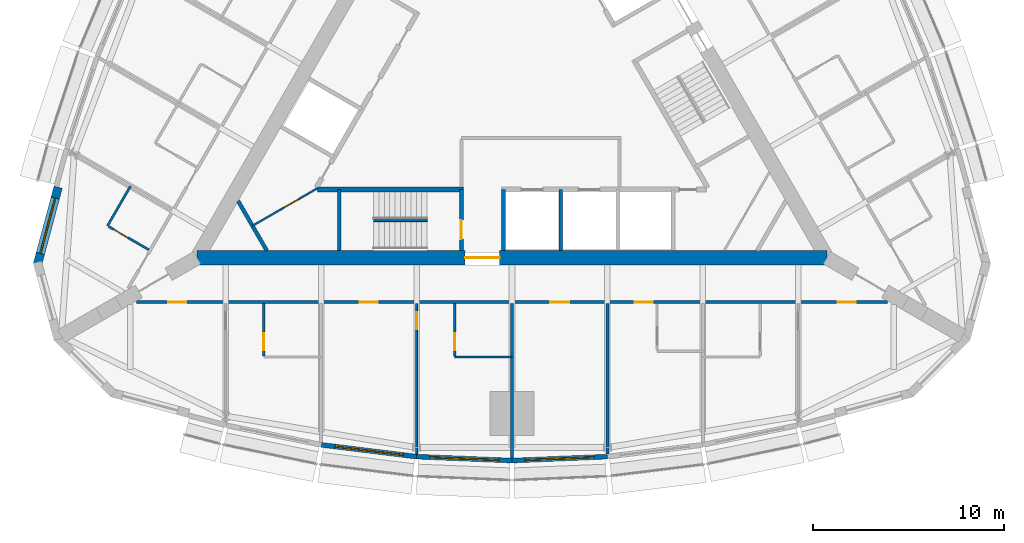
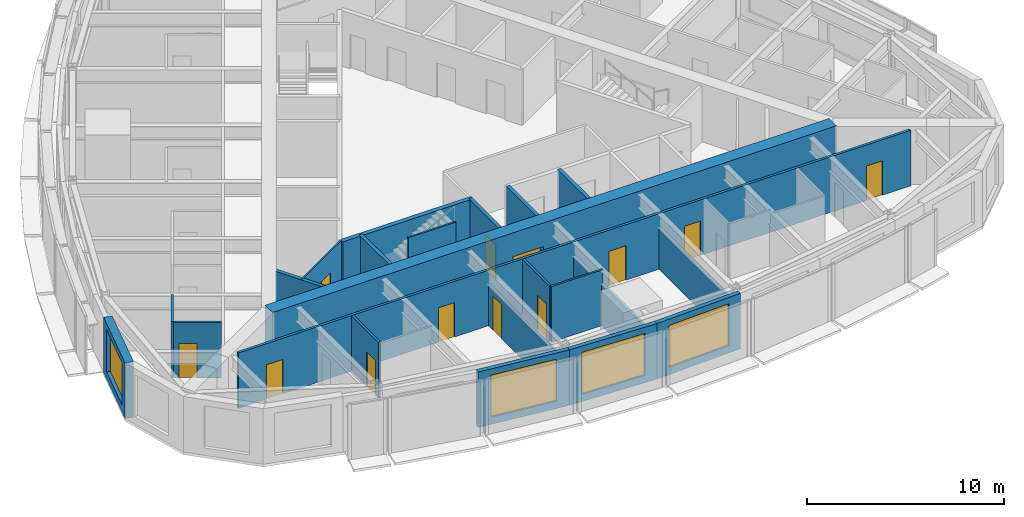
# One storey, part 9 of 15: 22 walls, 12 doors, 4 windows, 16 openings.
"""IFC4 building model written with IfcOpenShell, lengths in metres."""

from ifc_helpers import new_model, si_unit, direction, frame, frame_2d, origin, place, context, subcontext, project, spatial, rectangle, extrude, material, layer, layer_set, type_object, element, fill, save


model = new_model("IFC4")

# Units and contexts
model_context = context("Model", 3, precision=1e-05, world=origin(), true_north=direction((0.0, 1.0)))
body_context = subcontext(model_context, "Body", "Model", "MODEL_VIEW")
ifc_project = project(units=[si_unit("LENGTHUNIT", "METRE"), si_unit("AREAUNIT", "SQUARE_METRE"), si_unit("VOLUMEUNIT", "CUBIC_METRE"), si_unit("PLANEANGLEUNIT", "RADIAN"), si_unit("MASSUNIT", "GRAM", prefix="KILO")], contexts=[model_context])

# Site, building, storey
site_placement = place(None, origin())
site = spatial("IfcSite", under=ifc_project, at=site_placement, CompositionType="ELEMENT")
building_placement = place(site_placement, origin())
building = spatial("IfcBuilding", under=site, at=building_placement, Name="Trikona Tower", CompositionType="ELEMENT")
storey_placement = place(building_placement, frame((0.0, 0.0, 218.89990234375)))
storey = spatial("IfcBuildingStorey", under=building, at=storey_placement, Name="L58", CompositionType="ELEMENT", Elevation=218.89990234375)

# Wall, opening, door
ifc_material_1 = material(Name="Metal stud and cement board", Category="gypsum")
ifc_layer_1 = layer(ifc_material_1, 0.1201171875)
ifc_layer_set_1 = layer_set([ifc_layer_1], Name="Bathroom wall 120")
wall_type_1 = type_object("IfcWallType", Name="Bathroom wall 120", PredefinedType="PLUMBINGWALL", material=ifc_layer_set_1)
wall_1_placement = place(storey_placement, frame((-13.0, -11.92626953125, 0.0), z_axis=(0.0, 0.0, 1.0), x_axis=(0.0, -1.0, 0.0)))
wall_1 = element("IfcWall", 1, at=wall_1_placement, inside=storey, type_object=wall_type_1, Name="Bathroom wall 5801.1", PredefinedType="PLUMBINGWALL", context=body_context, shape_type="SweptSolid", body=[
    extrude(rectangle(XDim=2.739990234375, YDim=0.1201171875, at=frame_2d((1.3701171875, 0.0))), origin(), (0.0, 0.0, 1.0), 3.43505859375),
])
opening_1_placement = place(wall_1_placement, frame((1.550048828125, 0.0, 0.0)))
opening_1 = element("IfcOpeningElement", 2, at=opening_1_placement, cuts=wall_1, Name="Opening D2", PredefinedType="OPENING", context=body_context, shape_type="SweptSolid", body=[
    extrude(rectangle(XDim=0.89990234375, YDim=2.1298828125, at=frame_2d((0.449951171875, 1.06494140625))), frame((0.0, 0.070068359375, 0.0), z_axis=(0.0, -1.0, 0.0), x_axis=(1.0, 0.0, 0.0)), (0.0, 0.0, 1.0), 0.14013671875),
])
ifc_material_2 = material(Name="Steel door frame with solid-core timber leaf", Category="steel")
door_type_1 = type_object("IfcDoorType", Name="Bathroom door 900x2130", OperationType="SLIDING_TO_LEFT", PredefinedType="DOOR", material=ifc_material_2)
door_1_placement = place(opening_1_placement, origin())
door_1 = element("IfcDoor", 3, at=door_1_placement, inside=storey, type_object=door_type_1, Name="Bathroom door 5801.1", OperationType="SLIDING_TO_LEFT", OverallHeight=2.1298828125, OverallWidth=0.89990234375, PredefinedType="DOOR", context=body_context, shape_type="SweptSolid", body=[
    extrude(rectangle(XDim=0.89990234375, YDim=2.1298828125, at=frame_2d((0.449951171875, 1.06494140625))), frame((0.0, 0.02490234375, 0.0), z_axis=(0.0, -1.0, 0.0), x_axis=(1.0, 0.0, 0.0)), (0.0, 0.0, 1.0), 0.050048828125),
])
fill(opening_1, door_1)

# Wall
wall_2_placement = place(storey_placement, frame((-3.0, -14.726318359375, 0.0), z_axis=(0.0, 0.0, 1.0), x_axis=(1.0, 0.0, 0.0)))
element("IfcWall", 4, at=wall_2_placement, inside=storey, type_object=wall_type_1, Name="Bathroom wall 5802.1", PredefinedType="PLUMBINGWALL", context=body_context, shape_type="SweptSolid", body=[
    extrude(rectangle(XDim=3.0, YDim=0.1201171875, at=frame_2d((1.5, 0.0))), origin(), (0.0, 0.0, 1.0), 3.43505859375),
])

# Wall, opening, door
wall_3_placement = place(storey_placement, frame((-3.0, -11.92626953125, 0.0), z_axis=(0.0, 0.0, 1.0), x_axis=(0.0, -1.0, 0.0)))
wall_3 = element("IfcWall", 5, at=wall_3_placement, inside=storey, type_object=wall_type_1, Name="Bathroom wall 5802.1", PredefinedType="PLUMBINGWALL", context=body_context, shape_type="SweptSolid", body=[
    extrude(rectangle(XDim=2.739990234375, YDim=0.1201171875, at=frame_2d((1.3701171875, 0.0))), origin(), (0.0, 0.0, 1.0), 3.43505859375),
])
opening_2_placement = place(wall_3_placement, frame((1.550048828125, 0.0, 0.0)))
opening_2 = element("IfcOpeningElement", 6, at=opening_2_placement, cuts=wall_3, Name="Opening D2", PredefinedType="OPENING", context=body_context, shape_type="SweptSolid", body=[
    extrude(rectangle(XDim=0.89990234375, YDim=2.1298828125, at=frame_2d((0.449951171875, 1.06494140625))), frame((0.0, 0.070068359375, 0.0), z_axis=(0.0, -1.0, 0.0), x_axis=(1.0, 0.0, 0.0)), (0.0, 0.0, 1.0), 0.14013671875),
])
door_2_placement = place(opening_2_placement, origin())
door_2 = element("IfcDoor", 7, at=door_2_placement, inside=storey, type_object=door_type_1, Name="Bathroom door 5802.1", OperationType="SLIDING_TO_LEFT", OverallHeight=2.1298828125, OverallWidth=0.89990234375, PredefinedType="DOOR", context=body_context, shape_type="SweptSolid", body=[
    extrude(rectangle(XDim=0.89990234375, YDim=2.1298828125, at=frame_2d((0.449951171875, 1.06494140625))), frame((0.0, 0.02490234375, 0.0), z_axis=(0.0, -1.0, 0.0), x_axis=(1.0, 0.0, 0.0)), (0.0, 0.0, 1.0), 0.050048828125),
])
fill(opening_2, door_2)

# Wall
wall_4_placement = place(storey_placement, frame((-19.993408203125, -5.777099609375, 0.0), z_axis=(0.0, 0.0, 1.0), x_axis=(-0.500033551112, -0.866006032174, 0.0)))
element("IfcWall", 8, at=wall_4_placement, inside=storey, type_object=wall_type_1, Name="Bathroom wall 5816", PredefinedType="PLUMBINGWALL", context=body_context, shape_type="SweptSolid", body=[
    extrude(rectangle(XDim=2.400146484375, YDim=0.1201171875, at=frame_2d((1.2001953125, 0.0))), origin(), (0.0, 0.0, 1.0), 3.43505859375),
])

# Wall, opening, door
wall_5_placement = place(storey_placement, frame((-19.028564453125, -9.105712890625, 0.0), z_axis=(0.0, 0.0, 1.0), x_axis=(-0.866023955769, 0.500002508028, 0.0)))
wall_5 = element("IfcWall", 9, at=wall_5_placement, inside=storey, type_object=wall_type_1, Name="Bathroom wall 5816", PredefinedType="PLUMBINGWALL", context=body_context, shape_type="SweptSolid", body=[
    extrude(rectangle(XDim=2.43994140625, YDim=0.1201171875, at=frame_2d((1.219970703125, 0.0))), origin(), (0.0, 0.0, 1.0), 3.43505859375),
])
opening_3_placement = place(wall_5_placement, frame((1.25, 0.0, 0.0)))
opening_3 = element("IfcOpeningElement", 10, at=opening_3_placement, cuts=wall_5, Name="Opening D2", PredefinedType="OPENING", context=body_context, shape_type="SweptSolid", body=[
    extrude(rectangle(XDim=0.89990234375, YDim=2.1298828125, at=frame_2d((0.449951171875, 1.06494140625))), frame((0.0, 0.070068359375, 0.0), z_axis=(0.0, -1.0, 0.0), x_axis=(1.0, 0.0, 0.0)), (0.0, 0.0, 1.0), 0.14013671875),
])
door_3_placement = place(opening_3_placement, origin())
door_3 = element("IfcDoor", 11, at=door_3_placement, inside=storey, type_object=door_type_1, Name="Bathroom door 5816", OperationType="SLIDING_TO_LEFT", OverallHeight=2.1298828125, OverallWidth=0.89990234375, PredefinedType="DOOR", context=body_context, shape_type="SweptSolid", body=[
    extrude(rectangle(XDim=0.89990234375, YDim=2.1298828125, at=frame_2d((0.449951171875, 1.06494140625))), frame((0.0, 0.02490234375, 0.0), z_axis=(0.0, -1.0, 0.0), x_axis=(1.0, 0.0, 0.0)), (0.0, 0.0, 1.0), 0.050048828125),
])
fill(opening_3, door_3)

# Wall, opening, window
ifc_material_3 = material(Name="Brick-faced precast concrete", Category="masonry")
ifc_layer_2 = layer(ifc_material_3, 0.449951171875)
ifc_layer_set_2 = layer_set([ifc_layer_2], Name="Brick-faced corner wall 450")
wall_type_2 = type_object("IfcWallType", Name="Brick-faced corner wall 450", PredefinedType="SOLIDWALL", material=ifc_layer_set_2)
wall_6_placement = place(storey_placement, frame((-23.78271484375, -5.831787109375, 0.0), z_axis=(0.0, 0.0, 1.0), x_axis=(-0.258784695888, -0.965935029479, 0.0)))
wall_6 = element("IfcWall", 12, at=wall_6_placement, inside=storey, type_object=wall_type_2, Name="External wall L58-32", PredefinedType="SOLIDWALL", context=body_context, shape_type="SweptSolid", body=[
    extrude(rectangle(XDim=4.18408203125, YDim=0.449951171875, at=frame_2d((2.092041015625, 0.0))), origin(), (0.0, 0.0, 1.0), 3.43505859375),
])
opening_4_placement = place(wall_6_placement, frame((0.592041015625, 0.0, 0.449951171875)))
opening_4 = element("IfcOpeningElement", 13, at=opening_4_placement, cuts=wall_6, Name="Opening W3026", PredefinedType="OPENING", context=body_context, shape_type="SweptSolid", body=[
    extrude(rectangle(XDim=3.0, YDim=2.60009765625, at=frame_2d((1.5, 1.300048828125))), frame((0.0, 0.23486328125, 0.0), z_axis=(0.0, -1.0, 0.0), x_axis=(1.0, 0.0, 0.0)), (0.0, 0.0, 1.0), 0.469970703125),
])
ifc_material_4 = material(Name="Aluminium-framed double glazing", Category="aluminium")
window_type_1 = type_object("IfcWindowType", Name="Window 3000x2600", PartitioningType="SINGLE_PANEL", PredefinedType="WINDOW", material=ifc_material_4)
window_1_placement = place(opening_4_placement, origin())
window_1 = element("IfcWindow", 14, at=window_1_placement, inside=storey, type_object=window_type_1, Name="Window 5816", OverallHeight=2.60009765625, OverallWidth=3.0, PartitioningType="SINGLE_PANEL", PredefinedType="WINDOW", context=body_context, shape_type="SweptSolid", body=[
    extrude(rectangle(XDim=3.0, YDim=2.60009765625, at=frame_2d((1.5, 1.300048828125))), frame((0.0, 0.030029296875, 0.0), z_axis=(0.0, -1.0, 0.0), x_axis=(1.0, 0.0, 0.0)), (0.0, 0.0, 1.0), 0.06005859375),
])
fill(opening_4, window_1)

# Wall, opening, door
ifc_material_5 = material(Name="Concrete f'c 10000 psi", Category="concrete")
ifc_layer_3 = layer(ifc_material_5, 0.75)
ifc_layer_set_3 = layer_set([ifc_layer_3], Name="Core wall 750")
wall_type_3 = type_object("IfcWallType", Name="Core wall 750", PredefinedType="SHEAR", material=ifc_layer_set_3)
wall_7_placement = place(storey_placement, frame((-16.5, -9.5263671875, 0.0), z_axis=(0.0, 0.0, 1.0), x_axis=(1.0, 0.0, 0.0)))
wall_7 = element("IfcWall", 15, at=wall_7_placement, inside=storey, type_object=wall_type_3, Name="Core wall A", PredefinedType="SHEAR", context=body_context, shape_type="SweptSolid", body=[
    extrude(rectangle(XDim=33.0, YDim=0.75, at=frame_2d((16.5, 0.0))), origin(), (0.0, 0.0, 1.0), 3.60009765625),
])
opening_5_placement = place(wall_7_placement, frame((14.050048828125, 0.0, 0.0)))
opening_5 = element("IfcOpeningElement", 16, at=opening_5_placement, cuts=wall_7, Name="Opening D6", PredefinedType="OPENING", context=body_context, shape_type="SweptSolid", body=[
    extrude(rectangle(XDim=1.800048828125, YDim=2.1298828125, at=frame_2d((0.89990234375, 1.06494140625))), frame((0.0, 0.385009765625, 0.0), z_axis=(0.0, -1.0, 0.0), x_axis=(1.0, 0.0, 0.0)), (0.0, 0.0, 1.0), 0.77001953125),
])
ifc_material_6 = material(Name="Hollow metal door and frame", Category="steel")
door_type_2 = type_object("IfcDoorType", Name="Lobby door pair 1800x2130", OperationType="DOUBLE_DOOR_SINGLE_SWING", PredefinedType="DOOR", material=ifc_material_6)
door_4_placement = place(opening_5_placement, origin())
door_4 = element("IfcDoor", 17, at=door_4_placement, inside=storey, type_object=door_type_2, Name="Fire service lift lobby door", OperationType="DOUBLE_DOOR_SINGLE_SWING", OverallHeight=2.1298828125, OverallWidth=1.800048828125, PredefinedType="DOOR", context=body_context, shape_type="SweptSolid", body=[
    extrude(rectangle(XDim=1.800048828125, YDim=2.1298828125, at=frame_2d((0.89990234375, 1.06494140625))), frame((0.0, 0.02490234375, 0.0), z_axis=(0.0, -1.0, 0.0), x_axis=(1.0, 0.0, 0.0)), (0.0, 0.0, 1.0), 0.050048828125),
])
fill(opening_5, door_4)

# Wall, openings, doors
ifc_material_7 = material(Name="Metal stud and gypsum board, 1-hour", Category="gypsum")
ifc_layer_4 = layer(ifc_material_7, 0.14990234375)
ifc_layer_set_4 = layer_set([ifc_layer_4], Name="Corridor wall 150")
wall_type_4 = type_object("IfcWallType", Name="Corridor wall 150", PredefinedType="PARTITIONING", material=ifc_layer_set_4)
wall_8_placement = place(storey_placement, frame((-19.677001953125, -11.851318359375, 0.0), z_axis=(0.0, 0.0, 1.0), x_axis=(1.0, 0.0, 0.0)))
wall_8 = element("IfcWall", 18, at=wall_8_placement, inside=storey, type_object=wall_type_4, Name="Corridor wall L58-1", PredefinedType="PARTITIONING", context=body_context, shape_type="SweptSolid", body=[
    extrude(rectangle(XDim=39.35400390625, YDim=0.14990234375, at=frame_2d((19.677001953125, 0.0))), origin(), (0.0, 0.0, 1.0), 3.43505859375),
])
opening_6_placement = place(wall_8_placement, frame((1.6650390625, 0.0, 0.0)))
opening_6 = element("IfcOpeningElement", 19, at=opening_6_placement, cuts=wall_8, Name="Opening D1", PredefinedType="OPENING", context=body_context, shape_type="SweptSolid", body=[
    extrude(rectangle(XDim=0.949951171875, YDim=2.1298828125, at=frame_2d((0.47509765625, 1.06494140625))), frame((0.0, 0.0849609375, 0.0), z_axis=(0.0, -1.0, 0.0), x_axis=(1.0, 0.0, 0.0)), (0.0, 0.0, 1.0), 0.169921875),
])
opening_7_placement = place(wall_8_placement, frame((11.701904296875, 0.0, 0.0)))
opening_7 = element("IfcOpeningElement", 20, at=opening_7_placement, cuts=wall_8, Name="Opening D1", PredefinedType="OPENING", context=body_context, shape_type="SweptSolid", body=[
    extrude(rectangle(XDim=0.949951171875, YDim=2.1298828125, at=frame_2d((0.47509765625, 1.06494140625))), frame((0.0, 0.0849609375, 0.0), z_axis=(0.0, -1.0, 0.0), x_axis=(1.0, 0.0, 0.0)), (0.0, 0.0, 1.0), 0.169921875),
])
opening_8_placement = place(wall_8_placement, frame((21.677001953125, 0.0, 0.0)))
opening_8 = element("IfcOpeningElement", 21, at=opening_8_placement, cuts=wall_8, Name="Opening D3", PredefinedType="OPENING", context=body_context, shape_type="SweptSolid", body=[
    extrude(rectangle(XDim=1.0, YDim=2.1298828125, at=frame_2d((0.5, 1.06494140625))), frame((0.0, 0.0849609375, 0.0), z_axis=(0.0, -1.0, 0.0), x_axis=(1.0, 0.0, 0.0)), (0.0, 0.0, 1.0), 0.169921875),
])
opening_9_placement = place(wall_8_placement, frame((26.10205078125, 0.0, 0.0)))
opening_9 = element("IfcOpeningElement", 22, at=opening_9_placement, cuts=wall_8, Name="Opening D1", PredefinedType="OPENING", context=body_context, shape_type="SweptSolid", body=[
    extrude(rectangle(XDim=0.949951171875, YDim=2.1298828125, at=frame_2d((0.47509765625, 1.06494140625))), frame((0.0, 0.0849609375, 0.0), z_axis=(0.0, -1.0, 0.0), x_axis=(1.0, 0.0, 0.0)), (0.0, 0.0, 1.0), 0.169921875),
])
opening_10_placement = place(wall_8_placement, frame((36.739013671875, 0.0, 0.0)))
opening_10 = element("IfcOpeningElement", 23, at=opening_10_placement, cuts=wall_8, Name="Opening D1", PredefinedType="OPENING", context=body_context, shape_type="SweptSolid", body=[
    extrude(rectangle(XDim=0.949951171875, YDim=2.1298828125, at=frame_2d((0.47509765625, 1.06494140625))), frame((0.0, 0.0849609375, 0.0), z_axis=(0.0, -1.0, 0.0), x_axis=(1.0, 0.0, 0.0)), (0.0, 0.0, 1.0), 0.169921875),
])
ifc_material_8 = material(Name="Steel door frame with solid-core timber leaf", Category="steel")
door_type_3 = type_object("IfcDoorType", Name="Guest room door 950x2130", OperationType="SINGLE_SWING_LEFT", PredefinedType="DOOR", material=ifc_material_8)
door_5_placement = place(opening_6_placement, origin())
door_5 = element("IfcDoor", 24, at=door_5_placement, inside=storey, type_object=door_type_3, Name="Room door 5801", OperationType="SINGLE_SWING_LEFT", OverallHeight=2.1298828125, OverallWidth=0.949951171875, PredefinedType="DOOR", context=body_context, shape_type="SweptSolid", body=[
    extrude(rectangle(XDim=0.949951171875, YDim=2.1298828125, at=frame_2d((0.47509765625, 1.06494140625))), frame((0.0, 0.02490234375, 0.0), z_axis=(0.0, -1.0, 0.0), x_axis=(1.0, 0.0, 0.0)), (0.0, 0.0, 1.0), 0.050048828125),
])
fill(opening_6, door_5)
door_6_placement = place(opening_7_placement, origin())
door_6 = element("IfcDoor", 25, at=door_6_placement, inside=storey, type_object=door_type_3, Name="Room door 5802", OperationType="SINGLE_SWING_RIGHT", OverallHeight=2.1298828125, OverallWidth=0.949951171875, PredefinedType="DOOR", context=body_context, shape_type="SweptSolid", body=[
    extrude(rectangle(XDim=0.949951171875, YDim=2.1298828125, at=frame_2d((0.47509765625, 1.06494140625))), frame((0.0, 0.02490234375, 0.0), z_axis=(0.0, -1.0, 0.0), x_axis=(1.0, 0.0, 0.0)), (0.0, 0.0, 1.0), 0.050048828125),
])
fill(opening_7, door_6)
door_7_placement = place(opening_9_placement, origin())
door_7 = element("IfcDoor", 26, at=door_7_placement, inside=storey, type_object=door_type_3, Name="Room door 5803", OperationType="SINGLE_SWING_RIGHT", OverallHeight=2.1298828125, OverallWidth=0.949951171875, PredefinedType="DOOR", context=body_context, shape_type="SweptSolid", body=[
    extrude(rectangle(XDim=0.949951171875, YDim=2.1298828125, at=frame_2d((0.47509765625, 1.06494140625))), frame((0.0, 0.02490234375, 0.0), z_axis=(0.0, -1.0, 0.0), x_axis=(1.0, 0.0, 0.0)), (0.0, 0.0, 1.0), 0.050048828125),
])
fill(opening_9, door_7)
door_8_placement = place(opening_10_placement, origin())
door_8 = element("IfcDoor", 27, at=door_8_placement, inside=storey, type_object=door_type_3, Name="Room door 5804", OperationType="SINGLE_SWING_RIGHT", OverallHeight=2.1298828125, OverallWidth=0.949951171875, PredefinedType="DOOR", context=body_context, shape_type="SweptSolid", body=[
    extrude(rectangle(XDim=0.949951171875, YDim=2.1298828125, at=frame_2d((0.47509765625, 1.06494140625))), frame((0.0, 0.02490234375, 0.0), z_axis=(0.0, -1.0, 0.0), x_axis=(1.0, 0.0, 0.0)), (0.0, 0.0, 1.0), 0.050048828125),
])
fill(opening_10, door_8)
ifc_material_9 = material(Name="Steel door frame with solid-core timber leaf", Category="steel")
door_type_4 = type_object("IfcDoorType", Name="Room door 1000x2130", OperationType="SINGLE_SWING_LEFT", PredefinedType="DOOR", material=ifc_material_9)
door_9_placement = place(opening_8_placement, origin())
door_9 = element("IfcDoor", 28, at=door_9_placement, inside=storey, type_object=door_type_4, Name="Door Housekeeping pantry", OperationType="SINGLE_SWING_LEFT", OverallHeight=2.1298828125, OverallWidth=1.0, PredefinedType="DOOR", context=body_context, shape_type="SweptSolid", body=[
    extrude(rectangle(XDim=1.0, YDim=2.1298828125, at=frame_2d((0.5, 1.06494140625))), frame((0.0, 0.02490234375, 0.0), z_axis=(0.0, -1.0, 0.0), x_axis=(1.0, 0.0, 0.0)), (0.0, 0.0, 1.0), 0.050048828125),
])
fill(opening_8, door_9)

# Wall
ifc_material_10 = material(Name="Concrete f'c 8000 psi", Category="concrete")
ifc_layer_5 = layer(ifc_material_10, 0.25)
ifc_layer_set_5 = layer_set([ifc_layer_5], Name="Hub wall 250")
wall_type_5 = type_object("IfcWallType", Name="Hub wall 250", PredefinedType="SOLIDWALL", material=ifc_layer_set_5)
wall_9_placement = place(storey_placement, frame((-10.182861328125, -5.951416015625, 0.0), z_axis=(0.0, 0.0, 1.0), x_axis=(1.0, 0.0, 0.0)))
element("IfcWall", 29, at=wall_9_placement, inside=storey, type_object=wall_type_5, Name="Lift lobby wall A1", PredefinedType="SOLIDWALL", context=body_context, shape_type="SweptSolid", body=[
    extrude(rectangle(XDim=7.6328125, YDim=0.25, at=frame_2d((3.81640625, 0.0))), origin(), (0.0, 0.0, 1.0), 3.43505859375),
])

# Wall, opening, window
ifc_material_11 = material(Name="Insulated precast concrete spandrel panel", Category="concrete")
ifc_layer_6 = layer(ifc_material_11, 0.25)
ifc_layer_set_6 = layer_set([ifc_layer_6], Name="Inner skin wall 250")
wall_type_6 = type_object("IfcWallType", Name="Inner skin wall 250", PredefinedType="STANDARD", material=ifc_layer_set_6)
wall_10_placement = place(storey_placement, frame((-9.984619140625, -19.330078125, 0.0), z_axis=(0.0, 0.0, 1.0), x_axis=(0.992449874964, -0.12265090984, 0.0)))
wall_10 = element("IfcWall", 30, at=wall_10_placement, inside=storey, type_object=wall_type_6, Name="External wall L58-02", PredefinedType="STANDARD", context=body_context, shape_type="SweptSolid", body=[
    extrude(rectangle(XDim=5.0380859375, YDim=0.25, at=frame_2d((2.51904296875, 0.0))), origin(), (0.0, 0.0, 1.0), 3.43505859375),
])
opening_11_placement = place(wall_10_placement, frame((0.718994140625, 0.0, 0.449951171875)))
opening_11 = element("IfcOpeningElement", 31, at=opening_11_placement, cuts=wall_10, Name="Opening W3626", PredefinedType="OPENING", context=body_context, shape_type="SweptSolid", body=[
    extrude(rectangle(XDim=3.60009765625, YDim=2.60009765625, at=frame_2d((1.800048828125, 1.300048828125))), frame((0.0, 0.135009765625, 0.0), z_axis=(0.0, -1.0, 0.0), x_axis=(1.0, 0.0, 0.0)), (0.0, 0.0, 1.0), 0.27001953125),
])
ifc_material_12 = material(Name="Aluminium-framed double glazing", Category="aluminium")
window_type_2 = type_object("IfcWindowType", Name="Window 3600x2600", PartitioningType="SINGLE_PANEL", PredefinedType="WINDOW", material=ifc_material_12)
window_2_placement = place(opening_11_placement, origin())
window_2 = element("IfcWindow", 32, at=window_2_placement, inside=storey, type_object=window_type_2, Name="Window 5802", OverallHeight=2.60009765625, OverallWidth=3.60009765625, PartitioningType="SINGLE_PANEL", PredefinedType="WINDOW", context=body_context, shape_type="SweptSolid", body=[
    extrude(rectangle(XDim=3.60009765625, YDim=2.60009765625, at=frame_2d((1.800048828125, 1.300048828125))), frame((0.0, 0.030029296875, 0.0), z_axis=(0.0, -1.0, 0.0), x_axis=(1.0, 0.0, 0.0)), (0.0, 0.0, 1.0), 0.06005859375),
])
fill(opening_11, window_2)

wall_11_placement = place(storey_placement, frame((-4.994873046875, -19.947021484375, 0.0), z_axis=(0.0, 0.0, 1.0), x_axis=(0.999151909423, -0.041175986892, 0.0)))
wall_11 = element("IfcWall", 33, at=wall_11_placement, inside=storey, type_object=wall_type_6, Name="External wall L58-03", PredefinedType="STANDARD", context=body_context, shape_type="SweptSolid", body=[
    extrude(rectangle(XDim=5.004150390625, YDim=0.25, at=frame_2d((2.501953125, 0.0))), origin(), (0.0, 0.0, 1.0), 3.43505859375),
])
opening_12_placement = place(wall_11_placement, frame((0.7021484375, 0.0, 0.449951171875)))
opening_12 = element("IfcOpeningElement", 34, at=opening_12_placement, cuts=wall_11, Name="Opening W3626", PredefinedType="OPENING", context=body_context, shape_type="SweptSolid", body=[
    extrude(rectangle(XDim=3.60009765625, YDim=2.60009765625, at=frame_2d((1.800048828125, 1.300048828125))), frame((0.0, 0.135009765625, 0.0), z_axis=(0.0, -1.0, 0.0), x_axis=(1.0, 0.0, 0.0)), (0.0, 0.0, 1.0), 0.27001953125),
])
window_3_placement = place(opening_12_placement, origin())
window_3 = element("IfcWindow", 35, at=window_3_placement, inside=storey, type_object=window_type_2, Name="Window 5802.1", OverallHeight=2.60009765625, OverallWidth=3.60009765625, PartitioningType="SINGLE_PANEL", PredefinedType="WINDOW", context=body_context, shape_type="SweptSolid", body=[
    extrude(rectangle(XDim=3.60009765625, YDim=2.60009765625, at=frame_2d((1.800048828125, 1.300048828125))), frame((0.0, 0.030029296875, 0.0), z_axis=(0.0, -1.0, 0.0), x_axis=(1.0, 0.0, 0.0)), (0.0, 0.0, 1.0), 0.06005859375),
])
fill(opening_12, window_3)

wall_12_placement = place(storey_placement, frame((-0.005126953125, -20.153076171875, 0.0), z_axis=(0.0, 0.0, 1.0), x_axis=(0.999151909423, 0.041175986892, 0.0)))
wall_12 = element("IfcWall", 36, at=wall_12_placement, inside=storey, type_object=wall_type_6, Name="External wall L58-04", PredefinedType="STANDARD", context=body_context, shape_type="SweptSolid", body=[
    extrude(rectangle(XDim=5.004150390625, YDim=0.25, at=frame_2d((2.501953125, 0.0))), origin(), (0.0, 0.0, 1.0), 3.43505859375),
])
opening_13_placement = place(wall_12_placement, frame((0.7021484375, 0.0, 0.449951171875)))
opening_13 = element("IfcOpeningElement", 37, at=opening_13_placement, cuts=wall_12, Name="Opening W3626", PredefinedType="OPENING", context=body_context, shape_type="SweptSolid", body=[
    extrude(rectangle(XDim=3.60009765625, YDim=2.60009765625, at=frame_2d((1.800048828125, 1.300048828125))), frame((0.0, 0.135009765625, 0.0), z_axis=(0.0, -1.0, 0.0), x_axis=(1.0, 0.0, 0.0)), (0.0, 0.0, 1.0), 0.27001953125),
])
window_4_placement = place(opening_13_placement, origin())
window_4 = element("IfcWindow", 38, at=window_4_placement, inside=storey, type_object=window_type_2, Name="Window L58-HKP", OverallHeight=2.60009765625, OverallWidth=3.60009765625, PartitioningType="SINGLE_PANEL", PredefinedType="WINDOW", context=body_context, shape_type="SweptSolid", body=[
    extrude(rectangle(XDim=3.60009765625, YDim=2.60009765625, at=frame_2d((1.800048828125, 1.300048828125))), frame((0.0, 0.030029296875, 0.0), z_axis=(0.0, -1.0, 0.0), x_axis=(1.0, 0.0, 0.0)), (0.0, 0.0, 1.0), 0.06005859375),
])
fill(opening_13, window_4)

# Walls
ifc_material_13 = material(Name="Metal stud and gypsum board, 1-hour acoustic", Category="gypsum")
ifc_layer_7 = layer(ifc_material_13, 0.14990234375)
ifc_layer_set_7 = layer_set([ifc_layer_7], Name="Party wall 150")
wall_type_7 = type_object("IfcWallType", Name="Party wall 150", PredefinedType="PARTITIONING", material=ifc_layer_set_7)
wall_13_placement = place(storey_placement, frame((0.0, -11.92626953125, 0.0), z_axis=(0.0, 0.0, 1.0), x_axis=(0.0, -1.0, 0.0)))
element("IfcWall", 39, at=wall_13_placement, inside=storey, type_object=wall_type_7, Name="Partition L58 F1 u0", PredefinedType="PARTITIONING", context=body_context, shape_type="SweptSolid", body=[
    extrude(rectangle(XDim=8.101318359375, YDim=0.14990234375, at=frame_2d((4.05078125, 0.0))), origin(), (0.0, 0.0, 1.0), 2.58935546875),
])
wall_14_placement = place(storey_placement, frame((5.0, -11.92626953125, 0.0), z_axis=(0.0, 0.0, 1.0), x_axis=(0.0, -1.0, 0.0)))
element("IfcWall", 40, at=wall_14_placement, inside=storey, type_object=wall_type_7, Name="Partition L58 F1 u5", PredefinedType="PARTITIONING", context=body_context, shape_type="SweptSolid", body=[
    extrude(rectangle(XDim=7.893798828125, YDim=0.14990234375, at=frame_2d((3.94677734375, 0.0))), origin(), (0.0, 0.0, 1.0), 2.58935546875),
])
ifc_material_14 = material(Name="Concrete f'c 8000 psi", Category="concrete")
ifc_layer_8 = layer(ifc_material_14, 0.199951171875)
ifc_layer_set_8 = layer_set([ifc_layer_8], Name="Shaft wall 200")
wall_type_8 = type_object("IfcWallType", Name="Shaft wall 200", PredefinedType="SOLIDWALL", material=ifc_layer_set_8)
for number, where, z_axis, x_axis, name in (
    (41, (-0.449951171875, -5.951416015625, 0.0), (0.0, 0.0, 1.0), (0.0, -1.0, 0.0), "Shaft wall A3"),
    (42, (2.550048828125, -5.951416015625, 0.0), (0.0, 0.0, 1.0), (0.0, -1.0, 0.0), "Shaft wall A4"),
):
    element("IfcWall", number, at=place(storey_placement, frame(where, z_axis=z_axis, x_axis=x_axis)), inside=storey, type_object=wall_type_8, Name=name, PredefinedType="SOLIDWALL", context=body_context, shape_type="SweptSolid", body=[
        extrude(rectangle(XDim=3.199951171875, YDim=0.199951171875, at=frame_2d((1.60009765625, 0.0))), origin(), (0.0, 0.0, 1.0), 3.43505859375),
    ])
wall_15_placement = place(storey_placement, frame((-12.848388671875, -9.1513671875, 0.0), z_axis=(0.0, 0.0, 1.0), x_axis=(-0.499952404951, 0.866052881055, 0.0)))
element("IfcWall", 43, at=wall_15_placement, inside=storey, type_object=wall_type_8, Name="Riser wall L58-RS3", PredefinedType="SOLIDWALL", context=body_context, shape_type="SweptSolid", body=[
    extrude(rectangle(XDim=3.002197265625, YDim=0.199951171875, at=frame_2d((1.5009765625, 0.0))), origin(), (0.0, 0.0, 1.0), 3.43505859375),
])
ifc_material_15 = material(Name="Concrete f'c 8000 psi", Category="concrete")
ifc_layer_9 = layer(ifc_material_15, 0.199951171875)
ifc_layer_set_9 = layer_set([ifc_layer_9], Name="Shaft wall 200 load-bearing")
wall_type_9 = type_object("IfcWallType", Name="Shaft wall 200 load-bearing", PredefinedType="SOLIDWALL", material=ifc_layer_set_9)
wall_16_placement = place(storey_placement, frame((-9.050048828125, -5.951416015625, 0.0), z_axis=(0.0, 0.0, 1.0), x_axis=(0.0, -1.0, 0.0)))
element("IfcWall", 44, at=wall_16_placement, inside=storey, type_object=wall_type_9, Name="Shaft wall A1", PredefinedType="SOLIDWALL", context=body_context, shape_type="SweptSolid", body=[
    extrude(rectangle(XDim=3.199951171875, YDim=0.199951171875, at=frame_2d((1.60009765625, 0.0))), origin(), (0.0, 0.0, 1.0), 3.43505859375),
])

# Wall, opening, door
wall_17_placement = place(storey_placement, frame((-2.64990234375, -5.951416015625, 0.0), z_axis=(0.0, 0.0, 1.0), x_axis=(0.0, -1.0, 0.0)))
wall_17 = element("IfcWall", 45, at=wall_17_placement, inside=storey, type_object=wall_type_9, Name="Shaft wall A2", PredefinedType="SOLIDWALL", context=body_context, shape_type="SweptSolid", body=[
    extrude(rectangle(XDim=3.199951171875, YDim=0.199951171875, at=frame_2d((1.60009765625, 0.0))), origin(), (0.0, 0.0, 1.0), 3.43505859375),
])
opening_14_placement = place(wall_17_placement, frame((1.60009765625, 0.0, 0.0)))
opening_14 = element("IfcOpeningElement", 46, at=opening_14_placement, cuts=wall_17, Name="Opening D5", PredefinedType="OPENING", context=body_context, shape_type="SweptSolid", body=[
    extrude(rectangle(XDim=1.0, YDim=2.1298828125, at=frame_2d((0.5, 1.06494140625))), frame((0.0, 0.10986328125, 0.0), z_axis=(0.0, -1.0, 0.0), x_axis=(1.0, 0.0, 0.0)), (0.0, 0.0, 1.0), 0.219970703125),
])
ifc_material_16 = material(Name="Hollow metal door and frame", Category="steel")
door_type_5 = type_object("IfcDoorType", Name="Stair door 1000x2130", OperationType="SINGLE_SWING_LEFT", PredefinedType="DOOR", material=ifc_material_16)
door_10_placement = place(opening_14_placement, origin())
door_10 = element("IfcDoor", 47, at=door_10_placement, inside=storey, type_object=door_type_5, Name="Stair A door", OperationType="SINGLE_SWING_RIGHT", OverallHeight=2.1298828125, OverallWidth=1.0, PredefinedType="DOOR", context=body_context, shape_type="SweptSolid", body=[
    extrude(rectangle(XDim=1.0, YDim=2.1298828125, at=frame_2d((0.5, 1.06494140625))), frame((0.0, 0.02490234375, 0.0), z_axis=(0.0, -1.0, 0.0), x_axis=(1.0, 0.0, 0.0)), (0.0, 0.0, 1.0), 0.050048828125),
])
fill(opening_14, door_10)

# Wall
ifc_material_17 = material(Name="Concrete f'c 5000 psi", Category="concrete")
ifc_layer_10 = layer(ifc_material_17, 0.10009765625)
ifc_layer_set_10 = layer_set([ifc_layer_10], Name="Stair spine wall 100")
wall_type_10 = type_object("IfcWallType", Name="Stair spine wall 100", PredefinedType="SOLIDWALL", material=ifc_layer_set_10)
wall_18_placement = place(storey_placement, frame((-7.2470703125, -7.576416015625, 0.0), z_axis=(0.0, 0.0, 1.0), x_axis=(1.0, 0.0, 0.0)))
element("IfcWall", 48, at=wall_18_placement, inside=storey, type_object=wall_type_10, Name="Stair A spine wall L58", PredefinedType="SOLIDWALL", context=body_context, shape_type="SweptSolid", body=[
    extrude(rectangle(XDim=2.794189453125, YDim=0.10009765625, at=frame_2d((1.39697265625, 0.0))), origin(), (0.0, 0.0, 1.0), 3.60009765625),
])

# Wall, opening, door
ifc_material_18 = material(Name="Metal stud and gypsum board, acoustic", Category="gypsum")
ifc_layer_11 = layer(ifc_material_18, 0.10009765625)
ifc_layer_set_11 = layer_set([ifc_layer_11], Name="Suite partition 100")
wall_type_11 = type_object("IfcWallType", Name="Suite partition 100", PredefinedType="PARTITIONING", material=ifc_layer_set_11)
wall_19_placement = place(storey_placement, frame((-5.0, -11.92626953125, 0.0), z_axis=(0.0, 0.0, 1.0), x_axis=(0.0, -1.0, 0.0)))
wall_19 = element("IfcWall", 49, at=wall_19_placement, inside=storey, type_object=wall_type_11, Name="Suite partition L58 F1 u-5", PredefinedType="PARTITIONING", context=body_context, shape_type="SweptSolid", body=[
    extrude(rectangle(XDim=7.893798828125, YDim=0.10009765625, at=frame_2d((3.94677734375, 0.0))), origin(), (0.0, 0.0, 1.0), 2.58935546875),
])
opening_15_placement = place(wall_19_placement, frame((0.449951171875, 0.0, 0.0)))
opening_15 = element("IfcOpeningElement", 50, at=opening_15_placement, cuts=wall_19, Name="Opening D13", PredefinedType="OPENING", context=body_context, shape_type="SweptSolid", body=[
    extrude(rectangle(XDim=0.89990234375, YDim=2.1298828125, at=frame_2d((0.449951171875, 1.06494140625))), frame((0.0, 0.06005859375, 0.0), z_axis=(0.0, -1.0, 0.0), x_axis=(1.0, 0.0, 0.0)), (0.0, 0.0, 1.0), 0.1201171875),
])
ifc_material_19 = material(Name="Steel door frame with solid-core timber leaf", Category="steel")
door_type_6 = type_object("IfcDoorType", Name="Suite door 900x2130", OperationType="SINGLE_SWING_LEFT", PredefinedType="DOOR", material=ifc_material_19)
door_11_placement = place(opening_15_placement, origin())
door_11 = element("IfcDoor", 51, at=door_11_placement, inside=storey, type_object=door_type_6, Name="Suite door 5802", OperationType="SINGLE_SWING_LEFT", OverallHeight=2.1298828125, OverallWidth=0.89990234375, PredefinedType="DOOR", context=body_context, shape_type="SweptSolid", body=[
    extrude(rectangle(XDim=0.89990234375, YDim=2.1298828125, at=frame_2d((0.449951171875, 1.06494140625))), frame((0.0, 0.02490234375, 0.0), z_axis=(0.0, -1.0, 0.0), x_axis=(1.0, 0.0, 0.0)), (0.0, 0.0, 1.0), 0.050048828125),
])
fill(opening_15, door_11)

wall_20_placement = place(storey_placement, frame((-13.598876953125, -7.851318359375, 0.0), z_axis=(0.0, 0.0, 1.0), x_axis=(0.866026081073, 0.499998826899, 0.0)))
wall_20 = element("IfcWall", 52, at=wall_20_placement, inside=storey, type_object=wall_type_11, Name="Store partition L58-RS3", PredefinedType="PARTITIONING", context=body_context, shape_type="SweptSolid", body=[
    extrude(rectangle(XDim=3.92529296875, YDim=0.10009765625, at=frame_2d((1.962646484375, 0.0))), origin(), (0.0, 0.0, 1.0), 3.43505859375),
])
opening_16_placement = place(wall_20_placement, frame((1.905029296875, 0.0, 0.0)))
opening_16 = element("IfcOpeningElement", 53, at=opening_16_placement, cuts=wall_20, Name="Opening D15", PredefinedType="OPENING", context=body_context, shape_type="SweptSolid", body=[
    extrude(rectangle(XDim=0.89990234375, YDim=2.1298828125, at=frame_2d((0.449951171875, 1.06494140625))), frame((0.0, 0.06005859375, 0.0), z_axis=(0.0, -1.0, 0.0), x_axis=(1.0, 0.0, 0.0)), (0.0, 0.0, 1.0), 0.1201171875),
])
ifc_material_20 = material(Name="Steel door frame with solid-core timber leaf", Category="steel")
door_type_7 = type_object("IfcDoorType", Name="Store door 900x2130", OperationType="SINGLE_SWING_LEFT", PredefinedType="DOOR", material=ifc_material_20)
door_12_placement = place(opening_16_placement, origin())
door_12 = element("IfcDoor", 54, at=door_12_placement, inside=storey, type_object=door_type_7, Name="Door Uniform store UNF", OperationType="SINGLE_SWING_RIGHT", OverallHeight=2.1298828125, OverallWidth=0.89990234375, PredefinedType="DOOR", context=body_context, shape_type="SweptSolid", body=[
    extrude(rectangle(XDim=0.89990234375, YDim=2.1298828125, at=frame_2d((0.449951171875, 1.06494140625))), frame((0.0, 0.02490234375, 0.0), z_axis=(0.0, -1.0, 0.0), x_axis=(1.0, 0.0, 0.0)), (0.0, 0.0, 1.0), 0.050048828125),
])
fill(opening_16, door_12)

save(model, "model.ifc")
